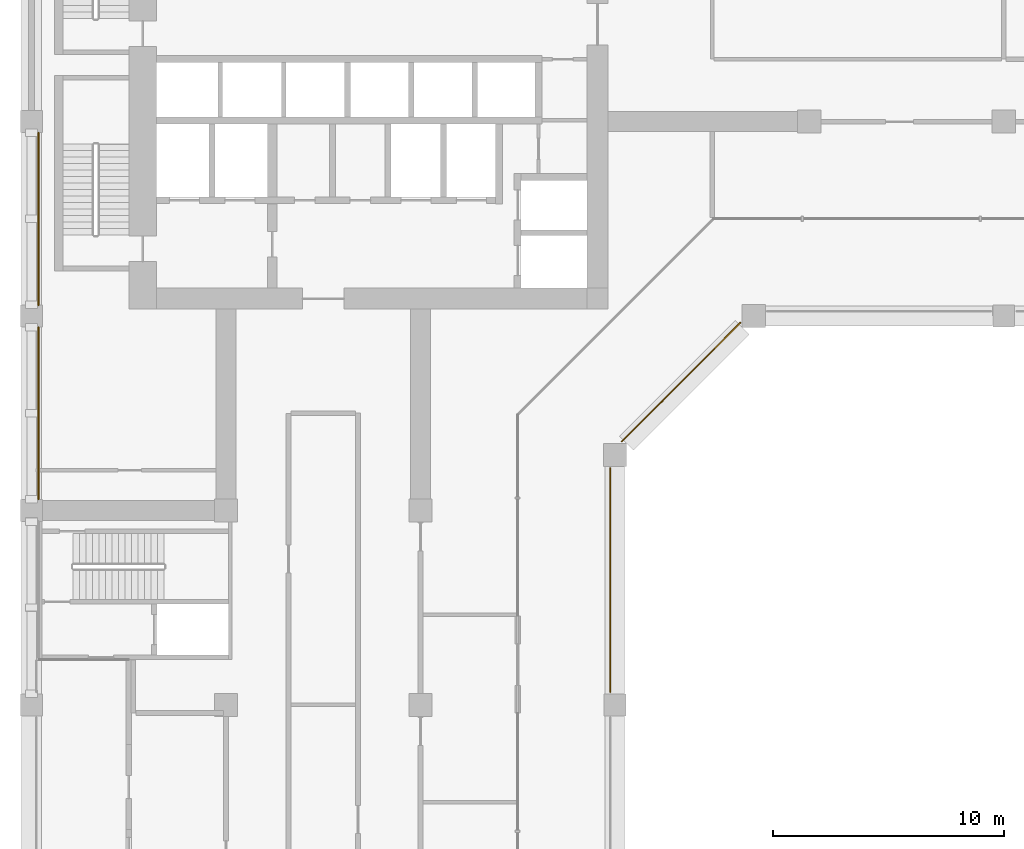
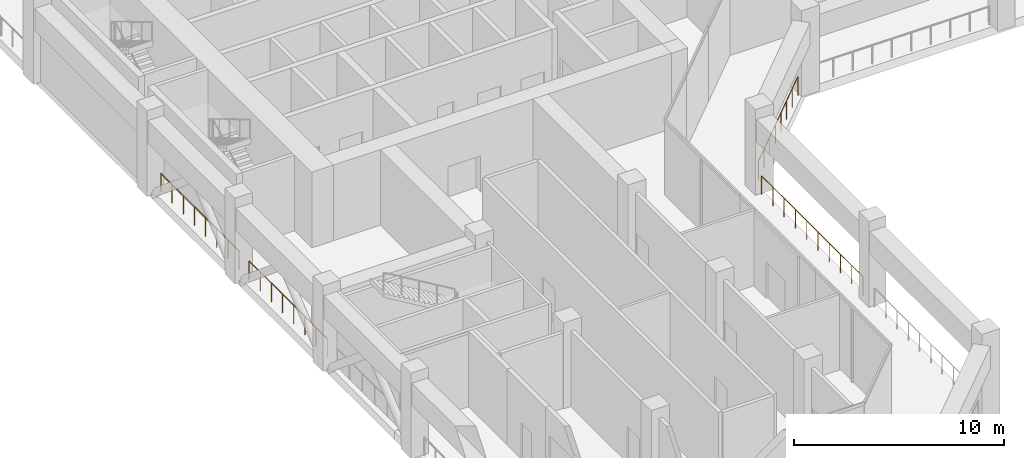
# One storey, part 13 of 19: 4 railings.
"""IFC4 building model written with IfcOpenShell, lengths in metres."""

from ifc_helpers import new_model, si_unit, direction, frame, origin, origin_2d, place, context, subcontext, project, spatial, circle, extrude, material, type_object, element, save


model = new_model("IFC4")

# Units and contexts
model_context = context("Model", 3, precision=1e-05, world=origin(), true_north=direction((0.0, 1.0)))
body_context = subcontext(model_context, "Body", "Model", "MODEL_VIEW")
ifc_project = project(units=[si_unit("LENGTHUNIT", "METRE"), si_unit("AREAUNIT", "SQUARE_METRE"), si_unit("VOLUMEUNIT", "CUBIC_METRE"), si_unit("PLANEANGLEUNIT", "RADIAN"), si_unit("MASSUNIT", "GRAM", prefix="KILO")], contexts=[model_context])

# Site, building, storey
site_placement = place(None, origin())
site = spatial("IfcSite", under=ifc_project, at=site_placement, CompositionType="ELEMENT")
building_placement = place(site_placement, origin())
building = spatial("IfcBuilding", under=site, at=building_placement, Name="Kawkab Arch Medical Tower", CompositionType="ELEMENT")
storey_placement = place(building_placement, frame((0.0, 0.0, 153.39990234375)))
storey = spatial("IfcBuildingStorey", under=building, at=storey_placement, Name="L35", CompositionType="ELEMENT", Elevation=153.39990234375)

# Railings
ifc_material = material(Name="Bronze anodised aluminium guard", Category="aluminium")
railing_type = type_object("IfcRailingType", Name="Loggia and terrace guard 1100", PredefinedType="GUARDRAIL", material=ifc_material)
railing_1_placement = place(storey_placement, frame((0.300048828125, -17.27490234375, 0.0)))
element("IfcRailing", 1, at=railing_1_placement, inside=storey, type_object=railing_type, Name="Band guard L35.R02.2", PredefinedType="GUARDRAIL", context=body_context, shape_type="SweptSolid", body=[
    extrude(circle(Radius=0.02392578125, at=origin_2d()), frame((0.0, 0.0, 1.076171875), z_axis=(0.0, -1.0, 0.0), x_axis=(1.0, 0.0, 0.0)), (0.0, 0.0, 1.0), 7.4501953125),
    extrude(circle(Radius=0.02099609375, at=origin_2d()), origin(), (0.0, 0.0, 1.0), 1.052001953125),
    extrude(circle(Radius=0.02099609375, at=origin_2d()), frame((0.0, -1.064208984375, 0.0)), (0.0, 0.0, 1.0), 1.052001953125),
    extrude(circle(Radius=0.02099609375, at=origin_2d()), frame((0.0, -2.128662109375, 0.0)), (0.0, 0.0, 1.0), 1.052001953125),
    extrude(circle(Radius=0.02099609375, at=origin_2d()), frame((0.0, -3.19287109375, 0.0)), (0.0, 0.0, 1.0), 1.052001953125),
    extrude(circle(Radius=0.02099609375, at=origin_2d()), frame((0.0, -4.25732421875, 0.0)), (0.0, 0.0, 1.0), 1.052001953125),
    extrude(circle(Radius=0.02099609375, at=origin_2d()), frame((0.0, -5.321533203125, 0.0)), (0.0, 0.0, 1.0), 1.052001953125),
    extrude(circle(Radius=0.02099609375, at=origin_2d()), frame((0.0, -6.385986328125, 0.0)), (0.0, 0.0, 1.0), 1.052001953125),
    extrude(circle(Radius=0.02099609375, at=origin_2d()), frame((0.0, -7.4501953125, 0.0)), (0.0, 0.0, 1.0), 1.052001953125),
])
railing_2_placement = place(storey_placement, frame((0.300048828125, -25.675048828125, 0.0)))
element("IfcRailing", 2, at=railing_2_placement, inside=storey, type_object=railing_type, Name="Band guard L35.R02.3", PredefinedType="GUARDRAIL", context=body_context, shape_type="SweptSolid", body=[
    extrude(circle(Radius=0.02392578125, at=origin_2d()), frame((0.0, 0.0, 1.076171875), z_axis=(0.0, -1.0, 0.0), x_axis=(1.0, 0.0, 0.0)), (0.0, 0.0, 1.0), 7.449951171875),
    extrude(circle(Radius=0.02099609375, at=origin_2d()), origin(), (0.0, 0.0, 1.0), 1.052001953125),
    extrude(circle(Radius=0.02099609375, at=origin_2d()), frame((0.0, -1.064208984375, 0.0)), (0.0, 0.0, 1.0), 1.052001953125),
    extrude(circle(Radius=0.02099609375, at=origin_2d()), frame((0.0, -2.128662109375, 0.0)), (0.0, 0.0, 1.0), 1.052001953125),
    extrude(circle(Radius=0.02099609375, at=origin_2d()), frame((0.0, -3.19287109375, 0.0)), (0.0, 0.0, 1.0), 1.052001953125),
    extrude(circle(Radius=0.02099609375, at=origin_2d()), frame((0.0, -4.257080078125, 0.0)), (0.0, 0.0, 1.0), 1.052001953125),
    extrude(circle(Radius=0.02099609375, at=origin_2d()), frame((0.0, -5.3212890625, 0.0)), (0.0, 0.0, 1.0), 1.052001953125),
    extrude(circle(Radius=0.02099609375, at=origin_2d()), frame((0.0, -6.3857421875, 0.0)), (0.0, 0.0, 1.0), 1.052001953125),
    extrude(circle(Radius=0.02099609375, at=origin_2d()), frame((0.0, -7.449951171875, 0.0)), (0.0, 0.0, 1.0), 1.052001953125),
])
railing_3_placement = place(storey_placement, frame((30.6201171875, -25.4970703125, 0.0)))
element("IfcRailing", 3, at=railing_3_placement, inside=storey, type_object=railing_type, Name="Guard L35.REF-01.1.10", PredefinedType="GUARDRAIL", context=body_context, shape_type="SweptSolid", body=[
    extrude(circle(Radius=0.02392578125, at=origin_2d()), frame((0.0, 0.0, 1.076171875), z_axis=(-0.707106781187, -0.707106781187, 0.0), x_axis=(0.707106781187, -0.707106781187, 0.0)), (0.0, 0.0, 1.0), 7.2451171875),
    extrude(circle(Radius=0.02099609375, at=origin_2d()), origin(), (0.0, 0.0, 1.0), 1.052001953125),
    extrude(circle(Radius=0.02099609375, at=origin_2d()), frame((-0.73193359375, -0.73193359375, 0.0)), (0.0, 0.0, 1.0), 1.052001953125),
    extrude(circle(Radius=0.02099609375, at=origin_2d()), frame((-1.463623046875, -1.463623046875, 0.0)), (0.0, 0.0, 1.0), 1.052001953125),
    extrude(circle(Radius=0.02099609375, at=origin_2d()), frame((-2.195556640625, -2.195556640625, 0.0)), (0.0, 0.0, 1.0), 1.052001953125),
    extrude(circle(Radius=0.02099609375, at=origin_2d()), frame((-2.927490234375, -2.927490234375, 0.0)), (0.0, 0.0, 1.0), 1.052001953125),
    extrude(circle(Radius=0.02099609375, at=origin_2d()), frame((-3.659423828125, -3.659423828125, 0.0)), (0.0, 0.0, 1.0), 1.052001953125),
    extrude(circle(Radius=0.02099609375, at=origin_2d()), frame((-4.39111328125, -4.39111328125, 0.0)), (0.0, 0.0, 1.0), 1.052001953125),
    extrude(circle(Radius=0.02099609375, at=origin_2d()), frame((-5.123046875, -5.123046875, 0.0)), (0.0, 0.0, 1.0), 1.052001953125),
])
railing_4_placement = place(storey_placement, frame((25.0, -31.780029296875, 0.0)))
element("IfcRailing", 4, at=railing_4_placement, inside=storey, type_object=railing_type, Name="Guard L35.REF-01.1.11", PredefinedType="GUARDRAIL", context=body_context, shape_type="SweptSolid", body=[
    extrude(circle(Radius=0.02392578125, at=origin_2d()), frame((0.0, 0.0, 1.076171875), z_axis=(0.0, -1.0, 0.0), x_axis=(1.0, 0.0, 0.0)), (0.0, 0.0, 1.0), 9.6650390625),
    extrude(circle(Radius=0.02099609375, at=origin_2d()), origin(), (0.0, 0.0, 1.0), 1.052001953125),
    extrude(circle(Radius=0.02099609375, at=origin_2d()), frame((0.0, -1.073974609375, 0.0)), (0.0, 0.0, 1.0), 1.052001953125),
    extrude(circle(Radius=0.02099609375, at=origin_2d()), frame((0.0, -2.147705078125, 0.0)), (0.0, 0.0, 1.0), 1.052001953125),
    extrude(circle(Radius=0.02099609375, at=origin_2d()), frame((0.0, -3.2216796875, 0.0)), (0.0, 0.0, 1.0), 1.052001953125),
    extrude(circle(Radius=0.02099609375, at=origin_2d()), frame((0.0, -4.295654296875, 0.0)), (0.0, 0.0, 1.0), 1.052001953125),
    extrude(circle(Radius=0.02099609375, at=origin_2d()), frame((0.0, -5.369384765625, 0.0)), (0.0, 0.0, 1.0), 1.052001953125),
    extrude(circle(Radius=0.02099609375, at=origin_2d()), frame((0.0, -6.443359375, 0.0)), (0.0, 0.0, 1.0), 1.052001953125),
    extrude(circle(Radius=0.02099609375, at=origin_2d()), frame((0.0, -7.517333984375, 0.0)), (0.0, 0.0, 1.0), 1.052001953125),
    extrude(circle(Radius=0.02099609375, at=origin_2d()), frame((0.0, -8.591064453125, 0.0)), (0.0, 0.0, 1.0), 1.052001953125),
    extrude(circle(Radius=0.02099609375, at=origin_2d()), frame((0.0, -9.6650390625, 0.0)), (0.0, 0.0, 1.0), 1.052001953125),
])

save(model, "model.ifc")
